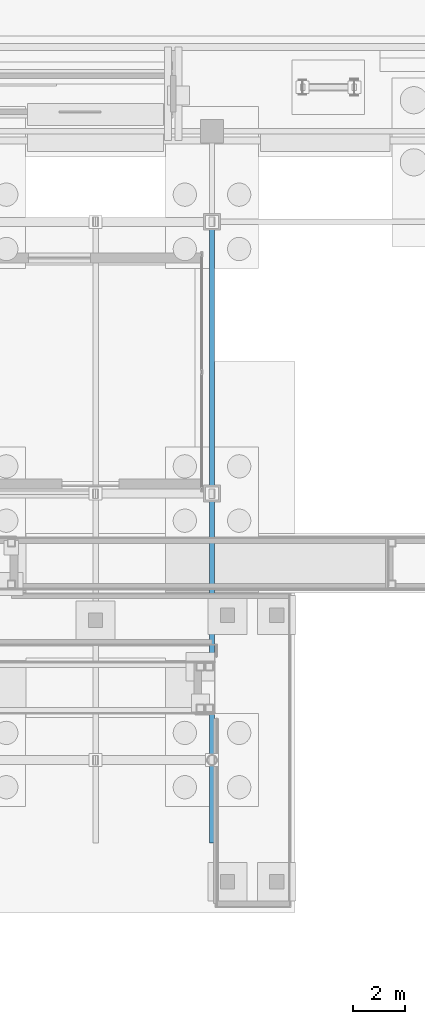
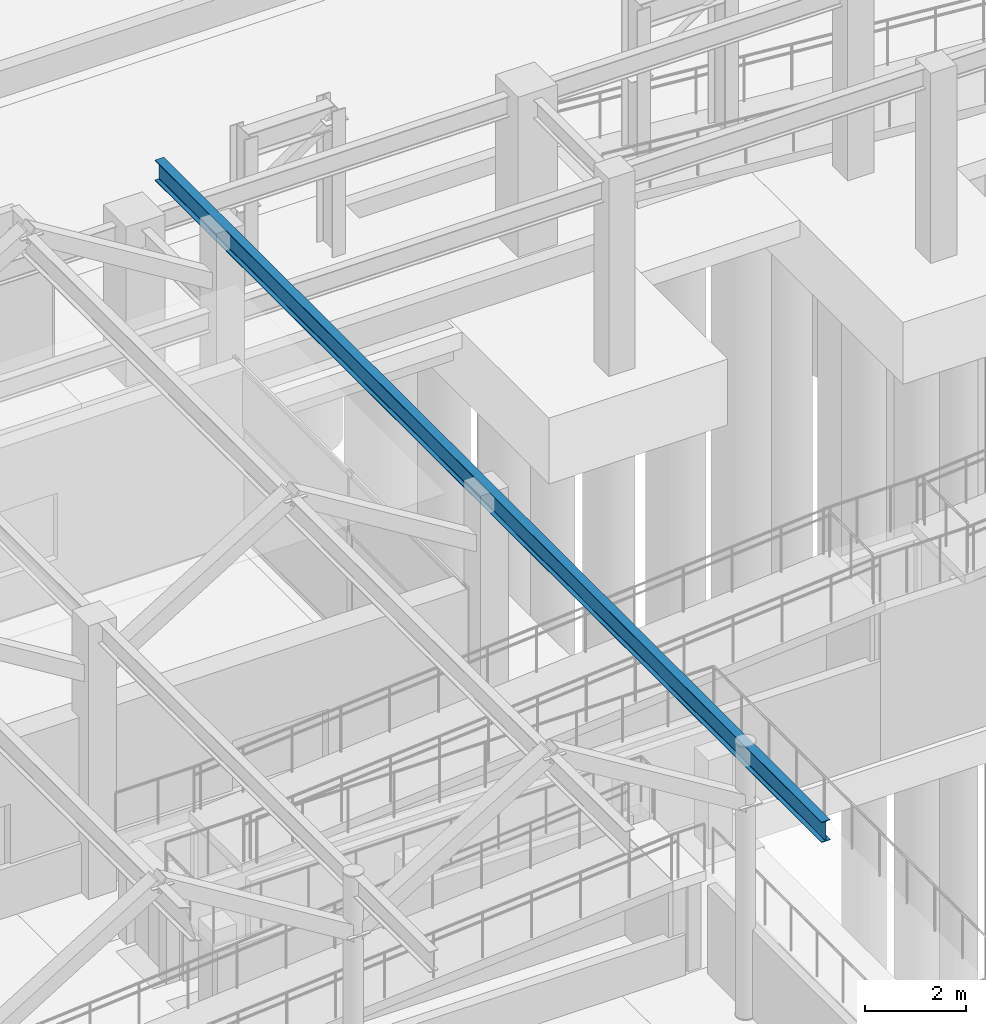
# One storey, part 64 of 160: 1 beam.
"""IFC4 building model written with IfcOpenShell, lengths in metres."""

from ifc_helpers import new_model, si_unit, direction, frame, origin, origin_2d, place, context, subcontext, project, spatial, i_section, extrude, material, material_profile, profile_set, type_object, element, save


model = new_model("IFC4")

# Units and contexts
model_context = context("Model", 3, precision=1e-05, world=origin(), true_north=direction((0.0, 1.0)))
body_context = subcontext(model_context, "Body", "Model", "MODEL_VIEW")
ifc_project = project(units=[si_unit("LENGTHUNIT", "METRE"), si_unit("AREAUNIT", "SQUARE_METRE"), si_unit("VOLUMEUNIT", "CUBIC_METRE"), si_unit("PLANEANGLEUNIT", "RADIAN"), si_unit("MASSUNIT", "GRAM", prefix="KILO")], contexts=[model_context])

# Site, building, storey
site_placement = place(None, origin())
site = spatial("IfcSite", under=ifc_project, at=site_placement, CompositionType="ELEMENT")
building_placement = place(site_placement, origin())
building = spatial("IfcBuilding", under=site, at=building_placement, Name="Marlcrest Central Station", CompositionType="ELEMENT")
storey_placement = place(building_placement, origin())
storey = spatial("IfcBuildingStorey", under=building, at=storey_placement, Name="L00", CompositionType="ELEMENT", Elevation=0.0)

# Beam
ifc_material = material(Name="Steel S355", Category="steel")
ifc_material_profile = material_profile(ifc_material, i_section(OverallWidth=0.199951171875, OverallDepth=0.5, WebThickness=0.01025390625, FlangeThickness=0.01611328125, FilletRadius=0.02099609375, at=origin_2d()), Name="IPE 500")
ifc_profile_set = profile_set([ifc_material_profile], Name="Steel S355")
beam_type = type_object("IfcBeamType", Name="BM-05", PredefinedType="BEAM", material=ifc_profile_set)
beam_placement = place(storey_placement, frame((63.0, 9.0, 6.389892578125), z_axis=(0.0, 1.0, 0.0), x_axis=(-1.0, 0.0, 0.0)))
element("IfcBeam", 1, at=beam_placement, inside=storey, type_object=beam_type, Name="bm-BM-05-L00-01052", PredefinedType="BEAM", context=body_context, shape_type="SweptSolid", body=[
    extrude(i_section(OverallWidth=0.199951171875, OverallDepth=0.5, WebThickness=0.01025390625, FlangeThickness=0.01611328125, FilletRadius=0.02099609375, at=origin_2d()), origin(), (0.0, 0.0, 1.0), 26.5),
])

save(model, "model.ifc")
